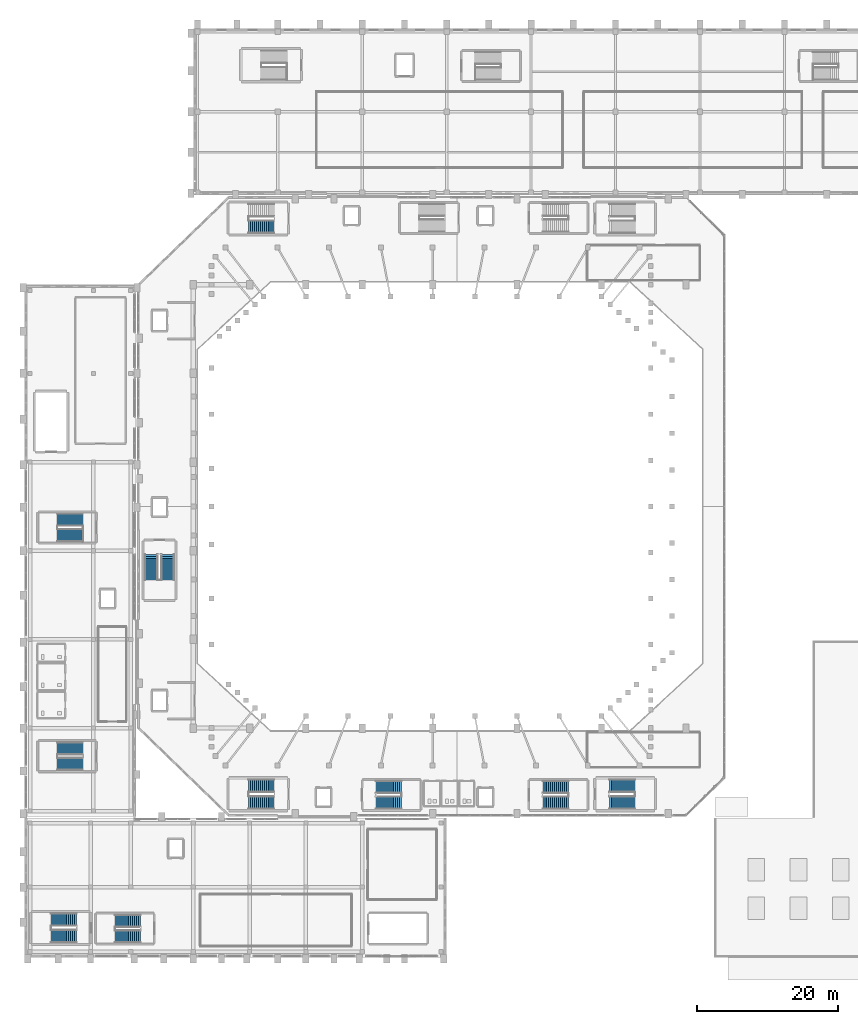
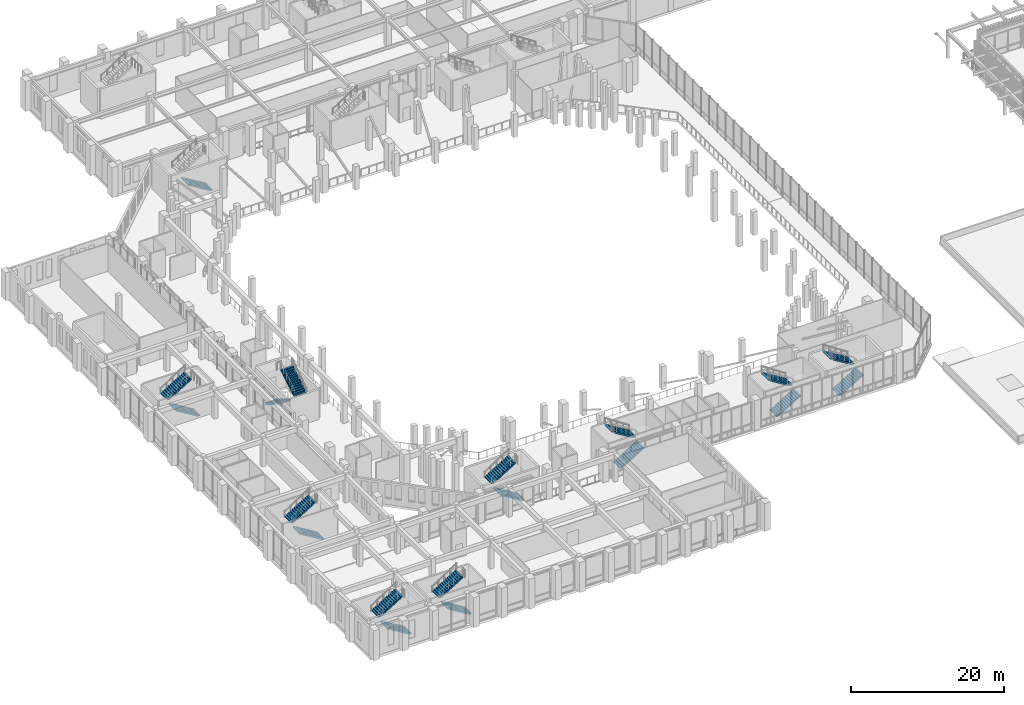
# One storey, part 104 of 126: 19 stair flights, 10 elements without a shape of their own.
"""IFC4 building model written with IfcOpenShell, lengths in metres."""

from ifc_helpers import new_model, si_unit, derived_unit, direction, frame, origin, place, context, subcontext, project, spatial, polyline, outline, extrude, material, type_object, element, aggregate, save


model = new_model("IFC4")

# Units and contexts
model_context = context("Model", 3, precision=1e-05, world=origin(), true_north=direction((0.0, 1.0)))
body_context = subcontext(model_context, "Body", "Model", "MODEL_VIEW")
ifc_project = project(units=[si_unit("LENGTHUNIT", "METRE"), si_unit("AREAUNIT", "SQUARE_METRE"), si_unit("VOLUMEUNIT", "CUBIC_METRE"), si_unit("PLANEANGLEUNIT", "RADIAN"), si_unit("MASSUNIT", "GRAM", prefix="KILO"), derived_unit("THERMALTRANSMITTANCEUNIT", [(si_unit("MASSUNIT", "GRAM", prefix="KILO"), 1), (si_unit("TIMEUNIT", "SECOND"), -3), (si_unit("THERMODYNAMICTEMPERATUREUNIT", "KELVIN"), -1)])], contexts=[model_context])

# Site, building, storey
site_placement = place(None, origin())
site = spatial("IfcSite", under=ifc_project, at=site_placement, CompositionType="ELEMENT")
building_placement = place(site_placement, origin())
building = spatial("IfcBuilding", under=site, at=building_placement, Name="Valcora Ridge Arena", CompositionType="ELEMENT")
storey_placement = place(building_placement, frame((0.0, 0.0, 11.39990234375)))
storey = spatial("IfcBuildingStorey", under=building, at=storey_placement, Name="L02", CompositionType="ELEMENT", Elevation=11.39990234375)

# Stair, stair flights
ifc_material = material(Name="Concrete C40/50", Category="concrete")
stair_type_1 = type_object("IfcStairType", Name="TY-STAIR-ES01-48", PredefinedType="HALF_TURN_STAIR", material=ifc_material)
stair_1_placement = place(storey_placement, origin())
stair_1 = element("IfcStair", 1, at=stair_1_placement, inside=storey, type_object=stair_type_1, Name="ES01-48 STR-ES-0003", PredefinedType="HALF_TURN_STAIR")
stair_flight_type_1 = type_object("IfcStairFlightType", Name="TY-FLIGHT-ES01-48", PredefinedType="STRAIGHT", material=ifc_material)
stair_flight_1_placement = place(storey_placement, frame((49.9599609375, 21.97998046875, 0.0), z_axis=(0.0, 0.0, 1.0), x_axis=(1.0, 0.0, 0.0)))
stair_flight_1 = element("IfcStairFlight", 2, at=stair_flight_1_placement, type_object=stair_flight_type_1, Name="ES01-48 flight 1", NumberOfRisers=14, NumberOfTreads=13, PredefinedType="STRAIGHT", RiserHeight=0.171429, TreadLength=0.28, context=body_context, shape_type="SweptSolid", body=[
    extrude(outline(polyline([(0.0, 0.0), (0.0, 0.17138671875), (0.280029296875, 0.17138671875), (0.280029296875, 0.3427734375), (0.56005859375, 0.3427734375), (0.56005859375, 0.514404296875), (0.840087890625, 0.514404296875), (0.840087890625, 0.685791015625), (1.1201171875, 0.685791015625), (1.1201171875, 0.857177734375), (1.39990234375, 0.857177734375), (1.39990234375, 1.028564453125), (1.679931640625, 1.028564453125), (1.679931640625, 1.199951171875), (1.9599609375, 1.199951171875), (1.9599609375, 1.371337890625), (2.239990234375, 1.371337890625), (2.239990234375, 1.54296875), (2.52001953125, 1.54296875), (2.52001953125, 1.71435546875), (2.800048828125, 1.71435546875), (2.800048828125, 1.8857421875), (3.080078125, 1.8857421875), (3.080078125, 2.05712890625), (3.360107421875, 2.05712890625), (3.360107421875, 2.228515625), (3.639892578125, 2.228515625), (3.639892578125, 2.39990234375), (3.639892578125, 2.017578125), (0.344482421875, 0.0), (0.0, 0.0)])), frame((0.0, 0.89990234375, 0.0), z_axis=(0.0, -1.0, 0.0), x_axis=(1.0, 0.0, 0.0)), (0.0, 0.0, 1.0), 1.800048828125),
])
stair_flight_2_placement = place(storey_placement, frame((53.60009765625, 24.219970703125, 2.400146484375), z_axis=(0.0, 0.0, 1.0), x_axis=(-1.0, 0.0, 0.0)))
stair_flight_2 = element("IfcStairFlight", 3, at=stair_flight_2_placement, type_object=stair_flight_type_1, Name="ES01-48 flight 2", NumberOfRisers=14, NumberOfTreads=13, PredefinedType="STRAIGHT", RiserHeight=0.171429, TreadLength=0.28, context=body_context, shape_type="SweptSolid", body=[
    extrude(outline(polyline([(0.0, 0.0), (0.0, 0.17138671875), (0.280029296875, 0.17138671875), (0.280029296875, 0.3427734375), (0.56005859375, 0.3427734375), (0.56005859375, 0.514404296875), (0.840087890625, 0.514404296875), (0.840087890625, 0.685791015625), (1.1201171875, 0.685791015625), (1.1201171875, 0.857177734375), (1.39990234375, 0.857177734375), (1.39990234375, 1.028564453125), (1.679931640625, 1.028564453125), (1.679931640625, 1.199951171875), (1.9599609375, 1.199951171875), (1.9599609375, 1.371337890625), (2.239990234375, 1.371337890625), (2.239990234375, 1.54296875), (2.52001953125, 1.54296875), (2.52001953125, 1.71435546875), (2.800048828125, 1.71435546875), (2.800048828125, 1.8857421875), (3.080078125, 1.8857421875), (3.080078125, 2.05712890625), (3.360107421875, 2.05712890625), (3.360107421875, 2.228515625), (3.639892578125, 2.228515625), (3.639892578125, 2.39990234375), (3.639892578125, 2.017578125), (0.344482421875, 0.0), (0.0, 0.0)])), frame((0.0, 0.89990234375, 0.0), z_axis=(0.0, -1.0, 0.0), x_axis=(1.0, 0.0, 0.0)), (0.0, 0.0, 1.0), 1.800048828125),
])
aggregate(stair_1, [stair_flight_1, stair_flight_2])

stair_type_2 = type_object("IfcStairType", Name="TY-STAIR-ES02-48", PredefinedType="HALF_TURN_STAIR", material=ifc_material)
stair_2_placement = place(storey_placement, origin())
stair_2 = element("IfcStair", 4, at=stair_2_placement, inside=storey, type_object=stair_type_2, Name="ES02-48 STR-ES-0007", PredefinedType="HALF_TURN_STAIR")
stair_flight_type_2 = type_object("IfcStairFlightType", Name="TY-FLIGHT-ES02-48", PredefinedType="STRAIGHT", material=ifc_material)
stair_flight_3_placement = place(storey_placement, frame((73.659912109375, 21.97998046875, 0.0), z_axis=(0.0, 0.0, 1.0), x_axis=(1.0, 0.0, 0.0)))
stair_flight_3 = element("IfcStairFlight", 5, at=stair_flight_3_placement, type_object=stair_flight_type_2, Name="ES02-48 flight 1", NumberOfRisers=14, NumberOfTreads=13, PredefinedType="STRAIGHT", RiserHeight=0.171429, TreadLength=0.28, context=body_context, shape_type="SweptSolid", body=[
    extrude(outline(polyline([(0.0, 0.0), (0.0, 0.17138671875), (0.280029296875, 0.17138671875), (0.280029296875, 0.3427734375), (0.56005859375, 0.3427734375), (0.56005859375, 0.514404296875), (0.840087890625, 0.514404296875), (0.840087890625, 0.685791015625), (1.1201171875, 0.685791015625), (1.1201171875, 0.857177734375), (1.39990234375, 0.857177734375), (1.39990234375, 1.028564453125), (1.679931640625, 1.028564453125), (1.679931640625, 1.199951171875), (1.9599609375, 1.199951171875), (1.9599609375, 1.371337890625), (2.239990234375, 1.371337890625), (2.239990234375, 1.54296875), (2.52001953125, 1.54296875), (2.52001953125, 1.71435546875), (2.800048828125, 1.71435546875), (2.800048828125, 1.8857421875), (3.080078125, 1.8857421875), (3.080078125, 2.05712890625), (3.360107421875, 2.05712890625), (3.360107421875, 2.228515625), (3.639892578125, 2.228515625), (3.639892578125, 2.39990234375), (3.639892578125, 2.017578125), (0.344482421875, 0.0), (0.0, 0.0)])), frame((0.0, 0.89990234375, 0.0), z_axis=(0.0, -1.0, 0.0), x_axis=(1.0, 0.0, 0.0)), (0.0, 0.0, 1.0), 1.800048828125),
])
stair_flight_4_placement = place(storey_placement, frame((77.300048828125, 24.219970703125, 2.400146484375), z_axis=(0.0, 0.0, 1.0), x_axis=(-1.0, 0.0, 0.0)))
stair_flight_4 = element("IfcStairFlight", 6, at=stair_flight_4_placement, type_object=stair_flight_type_2, Name="ES02-48 flight 2", NumberOfRisers=14, NumberOfTreads=13, PredefinedType="STRAIGHT", RiserHeight=0.171429, TreadLength=0.28, context=body_context, shape_type="SweptSolid", body=[
    extrude(outline(polyline([(0.0, 0.0), (0.0, 0.17138671875), (0.280029296875, 0.17138671875), (0.280029296875, 0.3427734375), (0.56005859375, 0.3427734375), (0.56005859375, 0.514404296875), (0.840087890625, 0.514404296875), (0.840087890625, 0.685791015625), (1.1201171875, 0.685791015625), (1.1201171875, 0.857177734375), (1.39990234375, 0.857177734375), (1.39990234375, 1.028564453125), (1.679931640625, 1.028564453125), (1.679931640625, 1.199951171875), (1.9599609375, 1.199951171875), (1.9599609375, 1.371337890625), (2.239990234375, 1.371337890625), (2.239990234375, 1.54296875), (2.52001953125, 1.54296875), (2.52001953125, 1.71435546875), (2.800048828125, 1.71435546875), (2.800048828125, 1.8857421875), (3.080078125, 1.8857421875), (3.080078125, 2.05712890625), (3.360107421875, 2.05712890625), (3.360107421875, 2.228515625), (3.639892578125, 2.228515625), (3.639892578125, 2.39990234375), (3.639892578125, 2.017578125), (0.344482421875, 0.0), (0.0, 0.0)])), frame((0.0, 0.89990234375, 0.0), z_axis=(0.0, -1.0, 0.0), x_axis=(1.0, 0.0, 0.0)), (0.0, 0.0, 1.0), 1.800048828125),
])
aggregate(stair_2, [stair_flight_3, stair_flight_4])

stair_type_3 = type_object("IfcStairType", Name="TY-STAIR-ES05-48", PredefinedType="HALF_TURN_STAIR", material=ifc_material)
stair_3_placement = place(storey_placement, origin())
stair_3 = element("IfcStair", 7, at=stair_3_placement, inside=storey, type_object=stair_type_3, Name="ES05-48 STR-ES-0019", PredefinedType="HALF_TURN_STAIR")
stair_flight_type_3 = type_object("IfcStairFlightType", Name="TY-FLIGHT-ES05-48", PredefinedType="STRAIGHT", material=ifc_material)
stair_flight_5_placement = place(storey_placement, frame((16.5, 2.97998046875, 0.0), z_axis=(0.0, 0.0, 1.0), x_axis=(-1.0, 0.0, 0.0)))
stair_flight_5 = element("IfcStairFlight", 8, at=stair_flight_5_placement, type_object=stair_flight_type_3, Name="ES05-48 flight 1", NumberOfRisers=14, NumberOfTreads=13, PredefinedType="STRAIGHT", RiserHeight=0.171429, TreadLength=0.28, context=body_context, shape_type="SweptSolid", body=[
    extrude(outline(polyline([(0.0, 0.0), (0.0, 0.17138671875), (0.280029296875, 0.17138671875), (0.280029296875, 0.3427734375), (0.56005859375, 0.3427734375), (0.56005859375, 0.514404296875), (0.840087890625, 0.514404296875), (0.840087890625, 0.685791015625), (1.1201171875, 0.685791015625), (1.1201171875, 0.857177734375), (1.39990234375, 0.857177734375), (1.39990234375, 1.028564453125), (1.679931640625, 1.028564453125), (1.679931640625, 1.199951171875), (1.9599609375, 1.199951171875), (1.9599609375, 1.371337890625), (2.239990234375, 1.371337890625), (2.239990234375, 1.54296875), (2.52001953125, 1.54296875), (2.52001953125, 1.71435546875), (2.800048828125, 1.71435546875), (2.800048828125, 1.8857421875), (3.080078125, 1.8857421875), (3.080078125, 2.05712890625), (3.360107421875, 2.05712890625), (3.360107421875, 2.228515625), (3.639892578125, 2.228515625), (3.639892578125, 2.39990234375), (3.639892578125, 2.017578125), (0.344482421875, 0.0), (0.0, 0.0)])), frame((0.0, 0.89990234375, 0.0), z_axis=(0.0, -1.0, 0.0), x_axis=(1.0, 0.0, 0.0)), (0.0, 0.0, 1.0), 1.800048828125),
])
stair_flight_6_placement = place(storey_placement, frame((12.860107421875, 5.219970703125, 2.400146484375), z_axis=(0.0, 0.0, 1.0), x_axis=(1.0, 0.0, 0.0)))
stair_flight_6 = element("IfcStairFlight", 9, at=stair_flight_6_placement, type_object=stair_flight_type_3, Name="ES05-48 flight 2", NumberOfRisers=14, NumberOfTreads=13, PredefinedType="STRAIGHT", RiserHeight=0.171429, TreadLength=0.28, context=body_context, shape_type="SweptSolid", body=[
    extrude(outline(polyline([(0.0, 0.0), (0.0, 0.17138671875), (0.280029296875, 0.17138671875), (0.280029296875, 0.3427734375), (0.56005859375, 0.3427734375), (0.56005859375, 0.514404296875), (0.840087890625, 0.514404296875), (0.840087890625, 0.685791015625), (1.1201171875, 0.685791015625), (1.1201171875, 0.857177734375), (1.39990234375, 0.857177734375), (1.39990234375, 1.028564453125), (1.679931640625, 1.028564453125), (1.679931640625, 1.199951171875), (1.9599609375, 1.199951171875), (1.9599609375, 1.371337890625), (2.239990234375, 1.371337890625), (2.239990234375, 1.54296875), (2.52001953125, 1.54296875), (2.52001953125, 1.71435546875), (2.800048828125, 1.71435546875), (2.800048828125, 1.8857421875), (3.080078125, 1.8857421875), (3.080078125, 2.05712890625), (3.360107421875, 2.05712890625), (3.360107421875, 2.228515625), (3.639892578125, 2.228515625), (3.639892578125, 2.39990234375), (3.639892578125, 2.017578125), (0.344482421875, 0.0), (0.0, 0.0)])), frame((0.0, 0.89990234375, 0.0), z_axis=(0.0, -1.0, 0.0), x_axis=(1.0, 0.0, 0.0)), (0.0, 0.0, 1.0), 1.800048828125),
])
aggregate(stair_3, [stair_flight_5, stair_flight_6])

stair_type_4 = type_object("IfcStairType", Name="TY-STAIR-ES07-48", PredefinedType="HALF_TURN_STAIR", material=ifc_material)
stair_4_placement = place(storey_placement, origin())
stair_4 = element("IfcStair", 10, at=stair_4_placement, inside=storey, type_object=stair_type_4, Name="ES07-48 STR-ES-0025", PredefinedType="HALF_TURN_STAIR")
stair_flight_type_4 = type_object("IfcStairFlightType", Name="TY-FLIGHT-ES07-48", PredefinedType="STRAIGHT", material=ifc_material)
stair_flight_7_placement = place(storey_placement, frame((8.300048828125, 27.47998046875, 0.0), z_axis=(0.0, 0.0, 1.0), x_axis=(-1.0, 0.0, 0.0)))
stair_flight_7 = element("IfcStairFlight", 11, at=stair_flight_7_placement, type_object=stair_flight_type_4, Name="ES07-48 flight 1", NumberOfRisers=14, NumberOfTreads=13, PredefinedType="STRAIGHT", RiserHeight=0.171429, TreadLength=0.28, context=body_context, shape_type="SweptSolid", body=[
    extrude(outline(polyline([(0.0, 0.0), (0.0, 0.17138671875), (0.280029296875, 0.17138671875), (0.280029296875, 0.3427734375), (0.56005859375, 0.3427734375), (0.56005859375, 0.514404296875), (0.840087890625, 0.514404296875), (0.840087890625, 0.685791015625), (1.1201171875, 0.685791015625), (1.1201171875, 0.857177734375), (1.39990234375, 0.857177734375), (1.39990234375, 1.028564453125), (1.679931640625, 1.028564453125), (1.679931640625, 1.199951171875), (1.9599609375, 1.199951171875), (1.9599609375, 1.371337890625), (2.239990234375, 1.371337890625), (2.239990234375, 1.54296875), (2.52001953125, 1.54296875), (2.52001953125, 1.71435546875), (2.800048828125, 1.71435546875), (2.800048828125, 1.8857421875), (3.080078125, 1.8857421875), (3.080078125, 2.05712890625), (3.360107421875, 2.05712890625), (3.360107421875, 2.228515625), (3.639892578125, 2.228515625), (3.639892578125, 2.39990234375), (3.639892578125, 2.017578125), (0.344482421875, 0.0), (0.0, 0.0)])), frame((0.0, 0.89990234375, 0.0), z_axis=(0.0, -1.0, 0.0), x_axis=(1.0, 0.0, 0.0)), (0.0, 0.0, 1.0), 1.800048828125),
])
stair_flight_8_placement = place(storey_placement, frame((4.659912109375, 29.719970703125, 2.400146484375), z_axis=(0.0, 0.0, 1.0), x_axis=(1.0, 0.0, 0.0)))
stair_flight_8 = element("IfcStairFlight", 12, at=stair_flight_8_placement, type_object=stair_flight_type_4, Name="ES07-48 flight 2", NumberOfRisers=14, NumberOfTreads=13, PredefinedType="STRAIGHT", RiserHeight=0.171429, TreadLength=0.28, context=body_context, shape_type="SweptSolid", body=[
    extrude(outline(polyline([(0.0, 0.0), (0.0, 0.17138671875), (0.280029296875, 0.17138671875), (0.280029296875, 0.3427734375), (0.56005859375, 0.3427734375), (0.56005859375, 0.514404296875), (0.840087890625, 0.514404296875), (0.840087890625, 0.685791015625), (1.1201171875, 0.685791015625), (1.1201171875, 0.857177734375), (1.39990234375, 0.857177734375), (1.39990234375, 1.028564453125), (1.679931640625, 1.028564453125), (1.679931640625, 1.199951171875), (1.9599609375, 1.199951171875), (1.9599609375, 1.371337890625), (2.239990234375, 1.371337890625), (2.239990234375, 1.54296875), (2.52001953125, 1.54296875), (2.52001953125, 1.71435546875), (2.800048828125, 1.71435546875), (2.800048828125, 1.8857421875), (3.080078125, 1.8857421875), (3.080078125, 2.05712890625), (3.360107421875, 2.05712890625), (3.360107421875, 2.228515625), (3.639892578125, 2.228515625), (3.639892578125, 2.39990234375), (3.639892578125, 2.017578125), (0.344482421875, 0.0), (0.0, 0.0)])), frame((0.0, 0.89990234375, 0.0), z_axis=(0.0, -1.0, 0.0), x_axis=(1.0, 0.0, 0.0)), (0.0, 0.0, 1.0), 1.800048828125),
])
aggregate(stair_4, [stair_flight_7, stair_flight_8])

stair_type_5 = type_object("IfcStairType", Name="TY-STAIR-ES08-48", PredefinedType="HALF_TURN_STAIR", material=ifc_material)
stair_5_placement = place(storey_placement, origin())
stair_5 = element("IfcStair", 13, at=stair_5_placement, inside=storey, type_object=stair_type_5, Name="ES08-48 STR-ES-0029", PredefinedType="HALF_TURN_STAIR")
stair_flight_type_5 = type_object("IfcStairFlightType", Name="TY-FLIGHT-ES08-48", PredefinedType="STRAIGHT", material=ifc_material)
stair_flight_9_placement = place(storey_placement, frame((8.300048828125, 59.97998046875, 0.0), z_axis=(0.0, 0.0, 1.0), x_axis=(-1.0, 0.0, 0.0)))
stair_flight_9 = element("IfcStairFlight", 14, at=stair_flight_9_placement, type_object=stair_flight_type_5, Name="ES08-48 flight 1", NumberOfRisers=14, NumberOfTreads=13, PredefinedType="STRAIGHT", RiserHeight=0.171429, TreadLength=0.28, context=body_context, shape_type="SweptSolid", body=[
    extrude(outline(polyline([(0.0, 0.0), (0.0, 0.17138671875), (0.280029296875, 0.17138671875), (0.280029296875, 0.3427734375), (0.56005859375, 0.3427734375), (0.56005859375, 0.514404296875), (0.840087890625, 0.514404296875), (0.840087890625, 0.685791015625), (1.1201171875, 0.685791015625), (1.1201171875, 0.857177734375), (1.39990234375, 0.857177734375), (1.39990234375, 1.028564453125), (1.679931640625, 1.028564453125), (1.679931640625, 1.199951171875), (1.9599609375, 1.199951171875), (1.9599609375, 1.371337890625), (2.239990234375, 1.371337890625), (2.239990234375, 1.54296875), (2.52001953125, 1.54296875), (2.52001953125, 1.71435546875), (2.800048828125, 1.71435546875), (2.800048828125, 1.8857421875), (3.080078125, 1.8857421875), (3.080078125, 2.05712890625), (3.360107421875, 2.05712890625), (3.360107421875, 2.228515625), (3.639892578125, 2.228515625), (3.639892578125, 2.39990234375), (3.639892578125, 2.017578125), (0.344482421875, 0.0), (0.0, 0.0)])), frame((0.0, 0.89990234375, 0.0), z_axis=(0.0, -1.0, 0.0), x_axis=(1.0, 0.0, 0.0)), (0.0, 0.0, 1.0), 1.800048828125),
])
stair_flight_10_placement = place(storey_placement, frame((4.659912109375, 62.219970703125, 2.400146484375), z_axis=(0.0, 0.0, 1.0), x_axis=(1.0, 0.0, 0.0)))
stair_flight_10 = element("IfcStairFlight", 15, at=stair_flight_10_placement, type_object=stair_flight_type_5, Name="ES08-48 flight 2", NumberOfRisers=14, NumberOfTreads=13, PredefinedType="STRAIGHT", RiserHeight=0.171429, TreadLength=0.28, context=body_context, shape_type="SweptSolid", body=[
    extrude(outline(polyline([(0.0, 0.0), (0.0, 0.17138671875), (0.280029296875, 0.17138671875), (0.280029296875, 0.3427734375), (0.56005859375, 0.3427734375), (0.56005859375, 0.514404296875), (0.840087890625, 0.514404296875), (0.840087890625, 0.685791015625), (1.1201171875, 0.685791015625), (1.1201171875, 0.857177734375), (1.39990234375, 0.857177734375), (1.39990234375, 1.028564453125), (1.679931640625, 1.028564453125), (1.679931640625, 1.199951171875), (1.9599609375, 1.199951171875), (1.9599609375, 1.371337890625), (2.239990234375, 1.371337890625), (2.239990234375, 1.54296875), (2.52001953125, 1.54296875), (2.52001953125, 1.71435546875), (2.800048828125, 1.71435546875), (2.800048828125, 1.8857421875), (3.080078125, 1.8857421875), (3.080078125, 2.05712890625), (3.360107421875, 2.05712890625), (3.360107421875, 2.228515625), (3.639892578125, 2.228515625), (3.639892578125, 2.39990234375), (3.639892578125, 2.017578125), (0.344482421875, 0.0), (0.0, 0.0)])), frame((0.0, 0.89990234375, 0.0), z_axis=(0.0, -1.0, 0.0), x_axis=(1.0, 0.0, 0.0)), (0.0, 0.0, 1.0), 1.800048828125),
])
aggregate(stair_5, [stair_flight_9, stair_flight_10])

stair_type_6 = type_object("IfcStairType", Name="TY-STAIR-ST01-48", PredefinedType="HALF_TURN_STAIR", material=ifc_material)
stair_6_placement = place(storey_placement, origin())
stair_6 = element("IfcStair", 16, at=stair_6_placement, inside=storey, type_object=stair_type_6, Name="ST01-48 STR-CR-0004", PredefinedType="HALF_TURN_STAIR")
stair_flight_type_6 = type_object("IfcStairFlightType", Name="TY-FLIGHT-ST01-48", PredefinedType="STRAIGHT", material=ifc_material)
stair_flight_11_placement = place(storey_placement, frame((35.489990234375, 22.0048828125, 0.0), z_axis=(0.0, 0.0, 1.0), x_axis=(-1.0, 0.0, 0.0)))
stair_flight_11 = element("IfcStairFlight", 17, at=stair_flight_11_placement, type_object=stair_flight_type_6, Name="ST01-48 flight 1", NumberOfRisers=14, NumberOfTreads=13, PredefinedType="STRAIGHT", RiserHeight=0.171429, TreadLength=0.28, context=body_context, shape_type="SweptSolid", body=[
    extrude(outline(polyline([(0.0, 0.0), (0.0, 0.17138671875), (0.280029296875, 0.17138671875), (0.280029296875, 0.3427734375), (0.56005859375, 0.3427734375), (0.56005859375, 0.514404296875), (0.840087890625, 0.514404296875), (0.840087890625, 0.685791015625), (1.1201171875, 0.685791015625), (1.1201171875, 0.857177734375), (1.39990234375, 0.857177734375), (1.39990234375, 1.028564453125), (1.679931640625, 1.028564453125), (1.679931640625, 1.199951171875), (1.9599609375, 1.199951171875), (1.9599609375, 1.371337890625), (2.239990234375, 1.371337890625), (2.239990234375, 1.54296875), (2.52001953125, 1.54296875), (2.52001953125, 1.71435546875), (2.800048828125, 1.71435546875), (2.800048828125, 1.8857421875), (3.080078125, 1.8857421875), (3.080078125, 2.05712890625), (3.360107421875, 2.05712890625), (3.360107421875, 2.228515625), (3.639892578125, 2.228515625), (3.639892578125, 2.39990234375), (3.639892578125, 2.017578125), (0.344482421875, 0.0), (0.0, 0.0)])), frame((0.0, 0.925048828125, 0.0), z_axis=(0.0, -1.0, 0.0), x_axis=(1.0, 0.0, 0.0)), (0.0, 0.0, 1.0), 1.85009765625),
])
stair_flight_12_placement = place(storey_placement, frame((31.85009765625, 24.39501953125, 2.400146484375), z_axis=(0.0, 0.0, 1.0), x_axis=(1.0, 0.0, 0.0)))
stair_flight_12 = element("IfcStairFlight", 18, at=stair_flight_12_placement, type_object=stair_flight_type_6, Name="ST01-48 flight 2", NumberOfRisers=14, NumberOfTreads=13, PredefinedType="STRAIGHT", RiserHeight=0.171429, TreadLength=0.28, context=body_context, shape_type="SweptSolid", body=[
    extrude(outline(polyline([(0.0, 0.0), (0.0, 0.17138671875), (0.280029296875, 0.17138671875), (0.280029296875, 0.3427734375), (0.56005859375, 0.3427734375), (0.56005859375, 0.514404296875), (0.840087890625, 0.514404296875), (0.840087890625, 0.685791015625), (1.1201171875, 0.685791015625), (1.1201171875, 0.857177734375), (1.39990234375, 0.857177734375), (1.39990234375, 1.028564453125), (1.679931640625, 1.028564453125), (1.679931640625, 1.199951171875), (1.9599609375, 1.199951171875), (1.9599609375, 1.371337890625), (2.239990234375, 1.371337890625), (2.239990234375, 1.54296875), (2.52001953125, 1.54296875), (2.52001953125, 1.71435546875), (2.800048828125, 1.71435546875), (2.800048828125, 1.8857421875), (3.080078125, 1.8857421875), (3.080078125, 2.05712890625), (3.360107421875, 2.05712890625), (3.360107421875, 2.228515625), (3.639892578125, 2.228515625), (3.639892578125, 2.39990234375), (3.639892578125, 2.017578125), (0.344482421875, 0.0), (0.0, 0.0)])), frame((0.0, 0.925048828125, 0.0), z_axis=(0.0, -1.0, 0.0), x_axis=(1.0, 0.0, 0.0)), (0.0, 0.0, 1.0), 1.85009765625),
])
aggregate(stair_6, [stair_flight_11, stair_flight_12])

stair_type_7 = type_object("IfcStairType", Name="TY-STAIR-ST02-48", PredefinedType="HALF_TURN_STAIR", material=ifc_material)
stair_7_placement = place(storey_placement, origin())
stair_7 = element("IfcStair", 19, at=stair_7_placement, inside=storey, type_object=stair_type_7, Name="ST02-48 STR-CR-0010", PredefinedType="HALF_TURN_STAIR")
stair_flight_type_7 = type_object("IfcStairFlightType", Name="TY-FLIGHT-ST02-48", PredefinedType="STRAIGHT", material=ifc_material)
stair_flight_13_placement = place(storey_placement, frame((83.110107421875, 22.0048828125, 0.0), z_axis=(0.0, 0.0, 1.0), x_axis=(1.0, 0.0, 0.0)))
stair_flight_13 = element("IfcStairFlight", 20, at=stair_flight_13_placement, type_object=stair_flight_type_7, Name="ST02-48 flight 1", NumberOfRisers=14, NumberOfTreads=13, PredefinedType="STRAIGHT", RiserHeight=0.171429, TreadLength=0.28, context=body_context, shape_type="SweptSolid", body=[
    extrude(outline(polyline([(0.0, 0.0), (0.0, 0.17138671875), (0.280029296875, 0.17138671875), (0.280029296875, 0.3427734375), (0.56005859375, 0.3427734375), (0.56005859375, 0.514404296875), (0.840087890625, 0.514404296875), (0.840087890625, 0.685791015625), (1.1201171875, 0.685791015625), (1.1201171875, 0.857177734375), (1.39990234375, 0.857177734375), (1.39990234375, 1.028564453125), (1.679931640625, 1.028564453125), (1.679931640625, 1.199951171875), (1.9599609375, 1.199951171875), (1.9599609375, 1.371337890625), (2.239990234375, 1.371337890625), (2.239990234375, 1.54296875), (2.52001953125, 1.54296875), (2.52001953125, 1.71435546875), (2.800048828125, 1.71435546875), (2.800048828125, 1.8857421875), (3.080078125, 1.8857421875), (3.080078125, 2.05712890625), (3.360107421875, 2.05712890625), (3.360107421875, 2.228515625), (3.639892578125, 2.228515625), (3.639892578125, 2.39990234375), (3.639892578125, 2.017578125), (0.344482421875, 0.0), (0.0, 0.0)])), frame((0.0, 0.925048828125, 0.0), z_axis=(0.0, -1.0, 0.0), x_axis=(1.0, 0.0, 0.0)), (0.0, 0.0, 1.0), 1.85009765625),
])
stair_flight_14_placement = place(storey_placement, frame((86.75, 24.39501953125, 2.400146484375), z_axis=(0.0, 0.0, 1.0), x_axis=(-1.0, 0.0, 0.0)))
stair_flight_14 = element("IfcStairFlight", 21, at=stair_flight_14_placement, type_object=stair_flight_type_7, Name="ST02-48 flight 2", NumberOfRisers=14, NumberOfTreads=13, PredefinedType="STRAIGHT", RiserHeight=0.171429, TreadLength=0.28, context=body_context, shape_type="SweptSolid", body=[
    extrude(outline(polyline([(0.0, 0.0), (0.0, 0.17138671875), (0.280029296875, 0.17138671875), (0.280029296875, 0.3427734375), (0.56005859375, 0.3427734375), (0.56005859375, 0.514404296875), (0.840087890625, 0.514404296875), (0.840087890625, 0.685791015625), (1.1201171875, 0.685791015625), (1.1201171875, 0.857177734375), (1.39990234375, 0.857177734375), (1.39990234375, 1.028564453125), (1.679931640625, 1.028564453125), (1.679931640625, 1.199951171875), (1.9599609375, 1.199951171875), (1.9599609375, 1.371337890625), (2.239990234375, 1.371337890625), (2.239990234375, 1.54296875), (2.52001953125, 1.54296875), (2.52001953125, 1.71435546875), (2.800048828125, 1.71435546875), (2.800048828125, 1.8857421875), (3.080078125, 1.8857421875), (3.080078125, 2.05712890625), (3.360107421875, 2.05712890625), (3.360107421875, 2.228515625), (3.639892578125, 2.228515625), (3.639892578125, 2.39990234375), (3.639892578125, 2.017578125), (0.344482421875, 0.0), (0.0, 0.0)])), frame((0.0, 0.925048828125, 0.0), z_axis=(0.0, -1.0, 0.0), x_axis=(1.0, 0.0, 0.0)), (0.0, 0.0, 1.0), 1.85009765625),
])
aggregate(stair_7, [stair_flight_13, stair_flight_14])

# Stair, stair flight
stair_type_8 = type_object("IfcStairType", Name="TY-STAIR-ST03-48", PredefinedType="HALF_TURN_STAIR", material=ifc_material)
stair_8_placement = place(storey_placement, origin())
stair_8 = element("IfcStair", 22, at=stair_8_placement, inside=storey, type_object=stair_type_8, Name="ST03-48 STR-CR-0015", PredefinedType="HALF_TURN_STAIR")
stair_flight_type_8 = type_object("IfcStairFlightType", Name="TY-FLIGHT-ST03-48", PredefinedType="STRAIGHT", material=ifc_material)
stair_flight_15_placement = place(storey_placement, frame((35.489990234375, 103.804931640625, 0.0), z_axis=(0.0, 0.0, 1.0), x_axis=(-1.0, 0.0, 0.0)))
stair_flight_15 = element("IfcStairFlight", 23, at=stair_flight_15_placement, type_object=stair_flight_type_8, Name="ST03-48 flight 1", NumberOfRisers=14, NumberOfTreads=13, PredefinedType="STRAIGHT", RiserHeight=0.171429, TreadLength=0.28, context=body_context, shape_type="SweptSolid", body=[
    extrude(outline(polyline([(0.0, 0.0), (0.0, 0.17138671875), (0.280029296875, 0.17138671875), (0.280029296875, 0.3427734375), (0.56005859375, 0.3427734375), (0.56005859375, 0.514404296875), (0.840087890625, 0.514404296875), (0.840087890625, 0.685791015625), (1.1201171875, 0.685791015625), (1.1201171875, 0.857177734375), (1.39990234375, 0.857177734375), (1.39990234375, 1.028564453125), (1.679931640625, 1.028564453125), (1.679931640625, 1.199951171875), (1.9599609375, 1.199951171875), (1.9599609375, 1.371337890625), (2.239990234375, 1.371337890625), (2.239990234375, 1.54296875), (2.52001953125, 1.54296875), (2.52001953125, 1.71435546875), (2.800048828125, 1.71435546875), (2.800048828125, 1.8857421875), (3.080078125, 1.8857421875), (3.080078125, 2.05712890625), (3.360107421875, 2.05712890625), (3.360107421875, 2.228515625), (3.639892578125, 2.228515625), (3.639892578125, 2.39990234375), (3.639892578125, 2.017578125), (0.344482421875, 0.0), (0.0, 0.0)])), frame((0.0, 0.925048828125, 0.0), z_axis=(0.0, -1.0, 0.0), x_axis=(1.0, 0.0, 0.0)), (0.0, 0.0, 1.0), 1.85009765625),
])
aggregate(stair_8, [stair_flight_15])

# Stair, stair flights
stair_type_9 = type_object("IfcStairType", Name="TY-STAIR-ST05-48", PredefinedType="HALF_TURN_STAIR", material=ifc_material)
stair_9_placement = place(storey_placement, origin())
stair_9 = element("IfcStair", 24, at=stair_9_placement, inside=storey, type_object=stair_type_9, Name="ST05-48 STR-CR-0026", PredefinedType="HALF_TURN_STAIR")
stair_flight_type_9 = type_object("IfcStairFlightType", Name="TY-FLIGHT-ST05-48", PredefinedType="STRAIGHT", material=ifc_material)
stair_flight_16_placement = place(storey_placement, frame((18.0048828125, 57.2900390625, 0.0), z_axis=(0.0, 0.0, 1.0), x_axis=(0.0, -1.0, 0.0)))
stair_flight_16 = element("IfcStairFlight", 25, at=stair_flight_16_placement, type_object=stair_flight_type_9, Name="ST05-48 flight 1", NumberOfRisers=14, NumberOfTreads=13, PredefinedType="STRAIGHT", RiserHeight=0.171429, TreadLength=0.28, context=body_context, shape_type="SweptSolid", body=[
    extrude(outline(polyline([(0.0, 0.0), (0.0, 0.17138671875), (0.280029296875, 0.17138671875), (0.280029296875, 0.3427734375), (0.56005859375, 0.3427734375), (0.56005859375, 0.514404296875), (0.840087890625, 0.514404296875), (0.840087890625, 0.685791015625), (1.1201171875, 0.685791015625), (1.1201171875, 0.857177734375), (1.39990234375, 0.857177734375), (1.39990234375, 1.028564453125), (1.679931640625, 1.028564453125), (1.679931640625, 1.199951171875), (1.9599609375, 1.199951171875), (1.9599609375, 1.371337890625), (2.239990234375, 1.371337890625), (2.239990234375, 1.54296875), (2.52001953125, 1.54296875), (2.52001953125, 1.71435546875), (2.800048828125, 1.71435546875), (2.800048828125, 1.8857421875), (3.080078125, 1.8857421875), (3.080078125, 2.05712890625), (3.360107421875, 2.05712890625), (3.360107421875, 2.228515625), (3.639892578125, 2.228515625), (3.639892578125, 2.39990234375), (3.639892578125, 2.017578125), (0.344482421875, 0.0), (0.0, 0.0)])), frame((0.0, 0.925048828125, 0.0), z_axis=(0.0, -1.0, 0.0), x_axis=(1.0, 0.0, 0.0)), (0.0, 0.0, 1.0), 1.85009765625),
])
stair_flight_17_placement = place(storey_placement, frame((20.39501953125, 53.64990234375, 2.400146484375), z_axis=(0.0, 0.0, 1.0), x_axis=(0.0, 1.0, 0.0)))
stair_flight_17 = element("IfcStairFlight", 26, at=stair_flight_17_placement, type_object=stair_flight_type_9, Name="ST05-48 flight 2", NumberOfRisers=14, NumberOfTreads=13, PredefinedType="STRAIGHT", RiserHeight=0.171429, TreadLength=0.28, context=body_context, shape_type="SweptSolid", body=[
    extrude(outline(polyline([(0.0, 0.0), (0.0, 0.17138671875), (0.280029296875, 0.17138671875), (0.280029296875, 0.3427734375), (0.56005859375, 0.3427734375), (0.56005859375, 0.514404296875), (0.840087890625, 0.514404296875), (0.840087890625, 0.685791015625), (1.1201171875, 0.685791015625), (1.1201171875, 0.857177734375), (1.39990234375, 0.857177734375), (1.39990234375, 1.028564453125), (1.679931640625, 1.028564453125), (1.679931640625, 1.199951171875), (1.9599609375, 1.199951171875), (1.9599609375, 1.371337890625), (2.239990234375, 1.371337890625), (2.239990234375, 1.54296875), (2.52001953125, 1.54296875), (2.52001953125, 1.71435546875), (2.800048828125, 1.71435546875), (2.800048828125, 1.8857421875), (3.080078125, 1.8857421875), (3.080078125, 2.05712890625), (3.360107421875, 2.05712890625), (3.360107421875, 2.228515625), (3.639892578125, 2.228515625), (3.639892578125, 2.39990234375), (3.639892578125, 2.017578125), (0.344482421875, 0.0), (0.0, 0.0)])), frame((0.0, 0.925048828125, 0.0), z_axis=(0.0, -1.0, 0.0), x_axis=(1.0, 0.0, 0.0)), (0.0, 0.0, 1.0), 1.85009765625),
])
aggregate(stair_9, [stair_flight_16, stair_flight_17])

stair_type_10 = type_object("IfcStairType", Name="TY-STAIR-ST07-48", PredefinedType="HALF_TURN_STAIR", material=ifc_material)
stair_10_placement = place(storey_placement, origin())
stair_10 = element("IfcStair", 27, at=stair_10_placement, inside=storey, type_object=stair_type_10, Name="ST07-48 STR-CR-0033", PredefinedType="HALF_TURN_STAIR")
stair_flight_type_10 = type_object("IfcStairFlightType", Name="TY-FLIGHT-ST07-48", PredefinedType="STRAIGHT", material=ifc_material)
stair_flight_18_placement = place(storey_placement, frame((7.409912109375, 3.0048828125, 0.0), z_axis=(0.0, 0.0, 1.0), x_axis=(-1.0, 0.0, 0.0)))
stair_flight_18 = element("IfcStairFlight", 28, at=stair_flight_18_placement, type_object=stair_flight_type_10, Name="ST07-48 flight 1", NumberOfRisers=14, NumberOfTreads=13, PredefinedType="STRAIGHT", RiserHeight=0.171429, TreadLength=0.28, context=body_context, shape_type="SweptSolid", body=[
    extrude(outline(polyline([(0.0, 0.0), (0.0, 0.17138671875), (0.280029296875, 0.17138671875), (0.280029296875, 0.3427734375), (0.56005859375, 0.3427734375), (0.56005859375, 0.514404296875), (0.840087890625, 0.514404296875), (0.840087890625, 0.685791015625), (1.1201171875, 0.685791015625), (1.1201171875, 0.857177734375), (1.39990234375, 0.857177734375), (1.39990234375, 1.028564453125), (1.679931640625, 1.028564453125), (1.679931640625, 1.199951171875), (1.9599609375, 1.199951171875), (1.9599609375, 1.371337890625), (2.239990234375, 1.371337890625), (2.239990234375, 1.54296875), (2.52001953125, 1.54296875), (2.52001953125, 1.71435546875), (2.800048828125, 1.71435546875), (2.800048828125, 1.8857421875), (3.080078125, 1.8857421875), (3.080078125, 2.05712890625), (3.360107421875, 2.05712890625), (3.360107421875, 2.228515625), (3.639892578125, 2.228515625), (3.639892578125, 2.39990234375), (3.639892578125, 2.017578125), (0.344482421875, 0.0), (0.0, 0.0)])), frame((0.0, 0.925048828125, 0.0), z_axis=(0.0, -1.0, 0.0), x_axis=(1.0, 0.0, 0.0)), (0.0, 0.0, 1.0), 1.85009765625),
])
stair_flight_19_placement = place(storey_placement, frame((3.77001953125, 5.39501953125, 2.400146484375), z_axis=(0.0, 0.0, 1.0), x_axis=(1.0, 0.0, 0.0)))
stair_flight_19 = element("IfcStairFlight", 29, at=stair_flight_19_placement, type_object=stair_flight_type_10, Name="ST07-48 flight 2", NumberOfRisers=14, NumberOfTreads=13, PredefinedType="STRAIGHT", RiserHeight=0.171429, TreadLength=0.28, context=body_context, shape_type="SweptSolid", body=[
    extrude(outline(polyline([(0.0, 0.0), (0.0, 0.17138671875), (0.280029296875, 0.17138671875), (0.280029296875, 0.3427734375), (0.56005859375, 0.3427734375), (0.56005859375, 0.514404296875), (0.840087890625, 0.514404296875), (0.840087890625, 0.685791015625), (1.1201171875, 0.685791015625), (1.1201171875, 0.857177734375), (1.39990234375, 0.857177734375), (1.39990234375, 1.028564453125), (1.679931640625, 1.028564453125), (1.679931640625, 1.199951171875), (1.9599609375, 1.199951171875), (1.9599609375, 1.371337890625), (2.239990234375, 1.371337890625), (2.239990234375, 1.54296875), (2.52001953125, 1.54296875), (2.52001953125, 1.71435546875), (2.800048828125, 1.71435546875), (2.800048828125, 1.8857421875), (3.080078125, 1.8857421875), (3.080078125, 2.05712890625), (3.360107421875, 2.05712890625), (3.360107421875, 2.228515625), (3.639892578125, 2.228515625), (3.639892578125, 2.39990234375), (3.639892578125, 2.017578125), (0.344482421875, 0.0), (0.0, 0.0)])), frame((0.0, 0.925048828125, 0.0), z_axis=(0.0, -1.0, 0.0), x_axis=(1.0, 0.0, 0.0)), (0.0, 0.0, 1.0), 1.85009765625),
])
aggregate(stair_10, [stair_flight_18, stair_flight_19])

save(model, "model.ifc")
